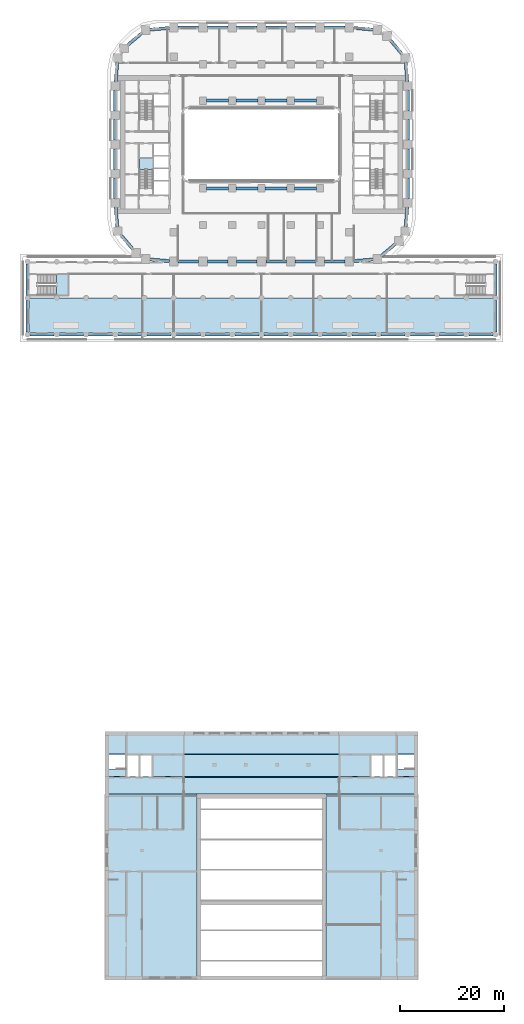
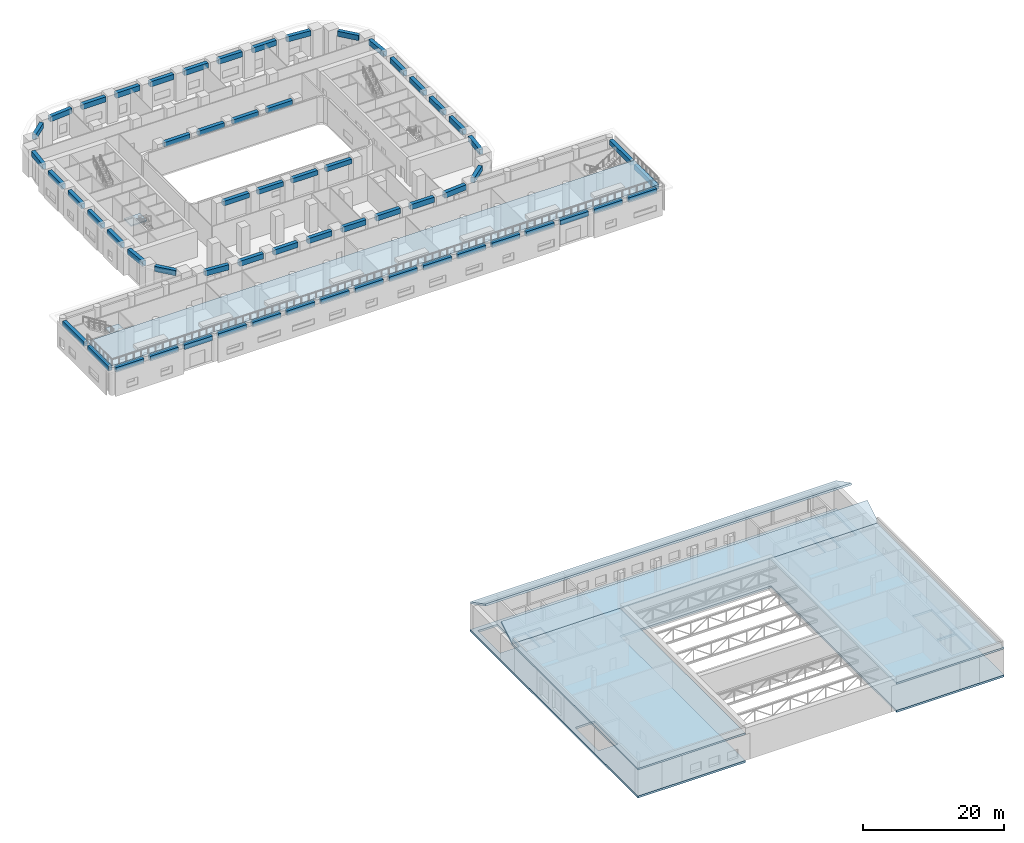
# One storey, part 8 of 35: 60 beams, 8 slabs, 2 elements without a shape of their own.
"""IFC4 building model written with IfcOpenShell, lengths in metres."""

from ifc_helpers import new_model, si_unit, direction, frame, origin, origin_2d, place, context, subcontext, project, spatial, polyline, rectangle, outline, extrude, material, layer, layer_set, material_profile, profile_set, type_object, element, aggregate, save


model = new_model("IFC4")

# Units and contexts
model_context = context("Model", 3, precision=1e-05, world=origin(), true_north=direction((0.0, 1.0)))
body_context = subcontext(model_context, "Body", "Model", "MODEL_VIEW")
ifc_project = project(units=[si_unit("LENGTHUNIT", "METRE"), si_unit("AREAUNIT", "SQUARE_METRE"), si_unit("VOLUMEUNIT", "CUBIC_METRE"), si_unit("PLANEANGLEUNIT", "RADIAN"), si_unit("MASSUNIT", "GRAM", prefix="KILO")], contexts=[model_context])

# Site, building, storey
site_placement = place(None, origin())
site = spatial("IfcSite", under=ifc_project, at=site_placement, CompositionType="ELEMENT")
building_placement = place(site_placement, origin())
building = spatial("IfcBuilding", under=site, at=building_placement, Name="Kiln Ring Residences", CompositionType="ELEMENT")
storey_placement = place(building_placement, frame((0.0, 0.0, 20.89990234375)))
storey = spatial("IfcBuildingStorey", under=building, at=storey_placement, Name="L04", CompositionType="ELEMENT", Elevation=20.89990234375)

# Beams
ifc_material_1 = material(Name="Concrete C50/60", Category="concrete")
ifc_material_profile_1 = material_profile(ifc_material_1, rectangle(XDim=0.60009765625, YDim=0.800048828125, at=origin_2d()), Name="RC600x800")
ifc_profile_set_1 = profile_set([ifc_material_profile_1], Name="Concrete C50/60")
beam_type_1 = type_object("IfcBeamType", Name="Ring beam RC600x800 C50/60", PredefinedType="BEAM", material=ifc_profile_set_1)
beam_1_placement = place(storey_placement, frame((-44.300048828125, -36.39990234375, 4.050048828125), z_axis=(1.0, 0.0, 0.0), x_axis=(0.0, 1.0, 0.0)))
element("IfcBeam", 1, at=beam_1_placement, inside=storey, type_object=beam_type_1, Name="Ring beam L04 1", PredefinedType="BEAM", context=body_context, shape_type="SweptSolid", body=[
    extrude(rectangle(XDim=0.60009765625, YDim=0.800048828125, at=origin_2d()), origin(), (0.0, 0.0, 1.0), 4.60009765625),
])
beam_2_placement = place(storey_placement, frame((-38.699951171875, -36.39990234375, 4.050048828125), z_axis=(1.0, 0.0, 0.0), x_axis=(0.0, 1.0, 0.0)))
element("IfcBeam", 2, at=beam_2_placement, inside=storey, type_object=beam_type_1, Name="Ring beam L04 2", PredefinedType="BEAM", context=body_context, shape_type="SweptSolid", body=[
    extrude(rectangle(XDim=0.60009765625, YDim=0.800048828125, at=origin_2d()), origin(), (0.0, 0.0, 1.0), 4.599853515625),
])
for number, where, z_axis, x_axis, name in (
    (3, (-33.10009765625, -36.39990234375, 4.050048828125), (1.0, 0.0, 0.0), (0.0, 1.0, 0.0), "Ring beam L04 3"),
    (4, (-27.5, -36.39990234375, 4.050048828125), (1.0, 0.0, 0.0), (0.0, 1.0, 0.0), "Ring beam L04 4"),
):
    element("IfcBeam", number, at=place(storey_placement, frame(where, z_axis=z_axis, x_axis=x_axis)), inside=storey, type_object=beam_type_1, Name=name, PredefinedType="BEAM", context=body_context, shape_type="SweptSolid", body=[
        extrude(rectangle(XDim=0.60009765625, YDim=0.800048828125, at=origin_2d()), origin(), (0.0, 0.0, 1.0), 4.60009765625),
    ])
beam_3_placement = place(storey_placement, frame((-21.89990234375, -36.39990234375, 4.050048828125), z_axis=(1.0, 0.0, 0.0), x_axis=(0.0, 1.0, 0.0)))
element("IfcBeam", 5, at=beam_3_placement, inside=storey, type_object=beam_type_1, Name="Ring beam L04 5", PredefinedType="BEAM", context=body_context, shape_type="SweptSolid", body=[
    extrude(rectangle(XDim=0.60009765625, YDim=0.800048828125, at=origin_2d()), origin(), (0.0, 0.0, 1.0), 4.599853515625),
])
beam_4_placement = place(storey_placement, frame((-16.300048828125, -36.39990234375, 4.050048828125), z_axis=(1.0, 0.0, 0.0), x_axis=(0.0, 1.0, 0.0)))
element("IfcBeam", 6, at=beam_4_placement, inside=storey, type_object=beam_type_1, Name="Ring beam L04 6", PredefinedType="BEAM", context=body_context, shape_type="SweptSolid", body=[
    extrude(rectangle(XDim=0.60009765625, YDim=0.800048828125, at=origin_2d()), origin(), (0.0, 0.0, 1.0), 4.60009765625),
])
beam_5_placement = place(storey_placement, frame((-10.699951171875, -36.39990234375, 4.050048828125), z_axis=(1.0, 0.0, 0.0), x_axis=(0.0, 1.0, 0.0)))
element("IfcBeam", 7, at=beam_5_placement, inside=storey, type_object=beam_type_1, Name="Ring beam L04 7", PredefinedType="BEAM", context=body_context, shape_type="SweptSolid", body=[
    extrude(rectangle(XDim=0.60009765625, YDim=0.800048828125, at=origin_2d()), origin(), (0.0, 0.0, 1.0), 4.599853515625),
])
for number, where, z_axis, x_axis, name in (
    (8, (-5.10009765625, -36.39990234375, 4.050048828125), (1.0, 0.0, 0.0), (0.0, 1.0, 0.0), "Ring beam L04 8"),
    (9, (0.5, -36.39990234375, 4.050048828125), (1.0, 0.0, 0.0), (0.0, 1.0, 0.0), "Ring beam L04 9"),
):
    element("IfcBeam", number, at=place(storey_placement, frame(where, z_axis=z_axis, x_axis=x_axis)), inside=storey, type_object=beam_type_1, Name=name, PredefinedType="BEAM", context=body_context, shape_type="SweptSolid", body=[
        extrude(rectangle(XDim=0.60009765625, YDim=0.800048828125, at=origin_2d()), origin(), (0.0, 0.0, 1.0), 4.60009765625),
    ])
beam_6_placement = place(storey_placement, frame((6.10009765625, -36.39990234375, 4.050048828125), z_axis=(1.0, 0.0, 0.0), x_axis=(0.0, 1.0, 0.0)))
element("IfcBeam", 10, at=beam_6_placement, inside=storey, type_object=beam_type_1, Name="Ring beam L04 10", PredefinedType="BEAM", context=body_context, shape_type="SweptSolid", body=[
    extrude(rectangle(XDim=0.60009765625, YDim=0.800048828125, at=origin_2d()), origin(), (0.0, 0.0, 1.0), 4.599853515625),
])
beam_7_placement = place(storey_placement, frame((11.699951171875, -36.39990234375, 4.050048828125), z_axis=(1.0, 0.0, 0.0), x_axis=(0.0, 1.0, 0.0)))
element("IfcBeam", 11, at=beam_7_placement, inside=storey, type_object=beam_type_1, Name="Ring beam L04 11", PredefinedType="BEAM", context=body_context, shape_type="SweptSolid", body=[
    extrude(rectangle(XDim=0.60009765625, YDim=0.800048828125, at=origin_2d()), origin(), (0.0, 0.0, 1.0), 4.60009765625),
])
beam_8_placement = place(storey_placement, frame((17.300048828125, -36.39990234375, 4.050048828125), z_axis=(1.0, 0.0, 0.0), x_axis=(0.0, 1.0, 0.0)))
element("IfcBeam", 12, at=beam_8_placement, inside=storey, type_object=beam_type_1, Name="Ring beam L04 12", PredefinedType="BEAM", context=body_context, shape_type="SweptSolid", body=[
    extrude(rectangle(XDim=0.60009765625, YDim=0.800048828125, at=origin_2d()), origin(), (0.0, 0.0, 1.0), 4.599853515625),
])
for number, where, z_axis, x_axis, name in (
    (13, (22.89990234375, -36.39990234375, 4.050048828125), (1.0, 0.0, 0.0), (0.0, 1.0, 0.0), "Ring beam L04 13"),
    (14, (28.5, -36.39990234375, 4.050048828125), (1.0, 0.0, 0.0), (0.0, 1.0, 0.0), "Ring beam L04 14"),
):
    element("IfcBeam", number, at=place(storey_placement, frame(where, z_axis=z_axis, x_axis=x_axis)), inside=storey, type_object=beam_type_1, Name=name, PredefinedType="BEAM", context=body_context, shape_type="SweptSolid", body=[
        extrude(rectangle(XDim=0.60009765625, YDim=0.800048828125, at=origin_2d()), origin(), (0.0, 0.0, 1.0), 4.60009765625),
    ])
beam_9_placement = place(storey_placement, frame((34.10009765625, -36.39990234375, 4.050048828125), z_axis=(1.0, 0.0, 0.0), x_axis=(0.0, 1.0, 0.0)))
element("IfcBeam", 15, at=beam_9_placement, inside=storey, type_object=beam_type_1, Name="Ring beam L04 15", PredefinedType="BEAM", context=body_context, shape_type="SweptSolid", body=[
    extrude(rectangle(XDim=0.60009765625, YDim=0.800048828125, at=origin_2d()), origin(), (0.0, 0.0, 1.0), 4.599853515625),
])
beam_10_placement = place(storey_placement, frame((39.699951171875, -36.39990234375, 4.050048828125), z_axis=(1.0, 0.0, 0.0), x_axis=(0.0, 1.0, 0.0)))
element("IfcBeam", 16, at=beam_10_placement, inside=storey, type_object=beam_type_1, Name="Ring beam L04 16", PredefinedType="BEAM", context=body_context, shape_type="SweptSolid", body=[
    extrude(rectangle(XDim=0.60009765625, YDim=0.800048828125, at=origin_2d()), origin(), (0.0, 0.0, 1.0), 4.60009765625),
])
for number, where, z_axis, x_axis, name in (
    (17, (-44.800048828125, -22.89990234375, 4.050048828125), (0.0, -1.0, 0.0), (1.0, 0.0, 0.0), "Ring beam L04 17"),
    (18, (-44.800048828125, -29.89990234375, 4.050048828125), (0.0, -1.0, 0.0), (1.0, 0.0, 0.0), "Ring beam L04 18"),
    (19, (44.800048828125, -22.89990234375, 4.050048828125), (0.0, -1.0, 0.0), (1.0, 0.0, 0.0), "Ring beam L04 19"),
    (20, (44.800048828125, -29.89990234375, 4.050048828125), (0.0, -1.0, 0.0), (1.0, 0.0, 0.0), "Ring beam L04 20"),
):
    element("IfcBeam", number, at=place(storey_placement, frame(where, z_axis=z_axis, x_axis=x_axis)), inside=storey, type_object=beam_type_1, Name=name, PredefinedType="BEAM", context=body_context, shape_type="SweptSolid", body=[
        extrude(rectangle(XDim=0.60009765625, YDim=0.800048828125, at=origin_2d()), origin(), (0.0, 0.0, 1.0), 6.0),
    ])
for number, where, z_axis, x_axis, name in (
    (21, (-10.5, -8.39990234375, 4.050048828125), (1.0, 0.0, 0.0), (0.0, 1.0, 0.0), "Ring beam L04 21"),
    (22, (-4.89990234375, -8.39990234375, 4.050048828125), (1.0, 0.0, 0.0), (0.0, 1.0, 0.0), "Ring beam L04 22"),
    (23, (0.699951171875, -8.39990234375, 4.050048828125), (1.0, 0.0, 0.0), (0.0, 1.0, 0.0), "Ring beam L04 23"),
    (24, (6.300048828125, -8.39990234375, 4.050048828125), (1.0, 0.0, 0.0), (0.0, 1.0, 0.0), "Ring beam L04 24"),
    (25, (-10.5, 8.39990234375, 4.050048828125), (1.0, 0.0, 0.0), (0.0, 1.0, 0.0), "Ring beam L04 25"),
    (26, (-4.89990234375, 8.39990234375, 4.050048828125), (1.0, 0.0, 0.0), (0.0, 1.0, 0.0), "Ring beam L04 26"),
    (27, (0.699951171875, 8.39990234375, 4.050048828125), (1.0, 0.0, 0.0), (0.0, 1.0, 0.0), "Ring beam L04 27"),
    (28, (6.300048828125, 8.39990234375, 4.050048828125), (1.0, 0.0, 0.0), (0.0, 1.0, 0.0), "Ring beam L04 28"),
):
    element("IfcBeam", number, at=place(storey_placement, frame(where, z_axis=z_axis, x_axis=x_axis)), inside=storey, type_object=beam_type_1, Name=name, PredefinedType="BEAM", context=body_context, shape_type="SweptSolid", body=[
        extrude(rectangle(XDim=0.60009765625, YDim=0.800048828125, at=origin_2d()), origin(), (0.0, 0.0, 1.0), 4.199951171875),
    ])
ifc_material_2 = material(Name="Concrete C50/60", Category="concrete")
ifc_material_profile_2 = material_profile(ifc_material_2, rectangle(XDim=0.60009765625, YDim=0.89990234375, at=origin_2d()), Name="RC600x900")
ifc_profile_set_2 = profile_set([ifc_material_profile_2], Name="Concrete C50/60")
beam_type_2 = type_object("IfcBeamType", Name="Spandrel beam RC600x900 C50/60", PredefinedType="SPANDREL", material=ifc_profile_set_2)
beam_11_placement = place(storey_placement, frame((-21.358642578125, -22.0107421875, 4.0), z_axis=(0.996374977292, -0.08506999839, 0.0), x_axis=(0.08506999839, 0.996374977292, 0.0)))
element("IfcBeam", 29, at=beam_11_placement, inside=storey, type_object=beam_type_2, Name="Spandrel beam L04 1", PredefinedType="SPANDREL", context=body_context, shape_type="SweptSolid", body=[
    extrude(rectangle(XDim=0.60009765625, YDim=0.89990234375, at=origin_2d()), origin(), (0.0, 0.0, 1.0), 3.72216796875),
])
beam_12_placement = place(storey_placement, frame((-15.949951171875, -22.39990234375, 4.0), z_axis=(1.0, 0.0, 0.0), x_axis=(0.0, 1.0, 0.0)))
element("IfcBeam", 30, at=beam_12_placement, inside=storey, type_object=beam_type_2, Name="Spandrel beam L04 2", PredefinedType="SPANDREL", context=body_context, shape_type="SweptSolid", body=[
    extrude(rectangle(XDim=0.60009765625, YDim=0.89990234375, at=origin_2d()), origin(), (0.0, 0.0, 1.0), 3.89990234375),
])
beam_13_placement = place(storey_placement, frame((-10.35009765625, -22.39990234375, 4.0), z_axis=(1.0, 0.0, 0.0), x_axis=(0.0, 1.0, 0.0)))
element("IfcBeam", 31, at=beam_13_placement, inside=storey, type_object=beam_type_2, Name="Spandrel beam L04 3", PredefinedType="SPANDREL", context=body_context, shape_type="SweptSolid", body=[
    extrude(rectangle(XDim=0.60009765625, YDim=0.89990234375, at=origin_2d()), origin(), (0.0, 0.0, 1.0), 3.900146484375),
])
for number, where, z_axis, x_axis, name in (
    (32, (-4.75, -22.39990234375, 4.0), (1.0, 0.0, 0.0), (0.0, 1.0, 0.0), "Spandrel beam L04 4"),
    (33, (0.85009765625, -22.39990234375, 4.0), (1.0, 0.0, 0.0), (0.0, 1.0, 0.0), "Spandrel beam L04 5"),
):
    element("IfcBeam", number, at=place(storey_placement, frame(where, z_axis=z_axis, x_axis=x_axis)), inside=storey, type_object=beam_type_2, Name=name, PredefinedType="SPANDREL", context=body_context, shape_type="SweptSolid", body=[
        extrude(rectangle(XDim=0.60009765625, YDim=0.89990234375, at=origin_2d()), origin(), (0.0, 0.0, 1.0), 3.89990234375),
    ])
beam_14_placement = place(storey_placement, frame((6.449951171875, -22.39990234375, 4.0), z_axis=(1.0, 0.0, 0.0), x_axis=(0.0, 1.0, 0.0)))
element("IfcBeam", 34, at=beam_14_placement, inside=storey, type_object=beam_type_2, Name="Spandrel beam L04 6", PredefinedType="SPANDREL", context=body_context, shape_type="SweptSolid", body=[
    extrude(rectangle(XDim=0.60009765625, YDim=0.89990234375, at=origin_2d()), origin(), (0.0, 0.0, 1.0), 3.900146484375),
])
beam_15_placement = place(storey_placement, frame((12.050048828125, -22.39990234375, 4.0), z_axis=(1.0, 0.0, 0.0), x_axis=(0.0, 1.0, 0.0)))
element("IfcBeam", 35, at=beam_15_placement, inside=storey, type_object=beam_type_2, Name="Spandrel beam L04 7", PredefinedType="SPANDREL", context=body_context, shape_type="SweptSolid", body=[
    extrude(rectangle(XDim=0.60009765625, YDim=0.89990234375, at=origin_2d()), origin(), (0.0, 0.0, 1.0), 3.89990234375),
])
beam_16_placement = place(storey_placement, frame((17.64990234375, -22.327392578125, 4.0), z_axis=(0.996374977292, 0.08506999839, 0.0), x_axis=(-0.08506999839, 0.996374977292, 0.0)))
element("IfcBeam", 36, at=beam_16_placement, inside=storey, type_object=beam_type_2, Name="Spandrel beam L04 8", PredefinedType="SPANDREL", context=body_context, shape_type="SweptSolid", body=[
    extrude(rectangle(XDim=0.60009765625, YDim=0.89990234375, at=origin_2d()), origin(), (0.0, 0.0, 1.0), 3.72216796875),
])
beam_17_placement = place(storey_placement, frame((23.05859375, -21.221923828125, 4.0), z_axis=(0.764713647219, 0.644370264489, 0.0), x_axis=(-0.644370264489, 0.764713647219, 0.0)))
element("IfcBeam", 37, at=beam_17_placement, inside=storey, type_object=beam_type_2, Name="Spandrel beam L04 9", PredefinedType="SPANDREL", context=body_context, shape_type="SweptSolid", body=[
    extrude(rectangle(XDim=0.60009765625, YDim=0.89990234375, at=origin_2d()), origin(), (0.0, 0.0, 1.0), 3.205322265625),
])
beam_18_placement = place(storey_placement, frame((27.610595703125, -15.7587890625, 4.0), z_axis=(0.085135112999, 0.996369415696, 0.0), x_axis=(-0.996369415696, 0.085135112999, 0.0)))
element("IfcBeam", 38, at=beam_18_placement, inside=storey, type_object=beam_type_2, Name="Spandrel beam L04 10", PredefinedType="SPANDREL", context=body_context, shape_type="SweptSolid", body=[
    extrude(rectangle(XDim=0.60009765625, YDim=0.89990234375, at=origin_2d()), origin(), (0.0, 0.0, 1.0), 3.72216796875),
])
beam_19_placement = place(storey_placement, frame((28.0, -10.35009765625, 4.0), z_axis=(0.0, 1.0, 0.0), x_axis=(-1.0, 0.0, 0.0)))
element("IfcBeam", 39, at=beam_19_placement, inside=storey, type_object=beam_type_2, Name="Spandrel beam L04 11", PredefinedType="SPANDREL", context=body_context, shape_type="SweptSolid", body=[
    extrude(rectangle(XDim=0.60009765625, YDim=0.89990234375, at=origin_2d()), origin(), (0.0, 0.0, 1.0), 3.900146484375),
])
for number, where, z_axis, x_axis, name in (
    (40, (28.0, -4.75, 4.0), (0.0, 1.0, 0.0), (-1.0, 0.0, 0.0), "Spandrel beam L04 12"),
    (41, (28.0, 0.85009765625, 4.0), (0.0, 1.0, 0.0), (-1.0, 0.0, 0.0), "Spandrel beam L04 13"),
):
    element("IfcBeam", number, at=place(storey_placement, frame(where, z_axis=z_axis, x_axis=x_axis)), inside=storey, type_object=beam_type_2, Name=name, PredefinedType="SPANDREL", context=body_context, shape_type="SweptSolid", body=[
        extrude(rectangle(XDim=0.60009765625, YDim=0.89990234375, at=origin_2d()), origin(), (0.0, 0.0, 1.0), 3.89990234375),
    ])
beam_20_placement = place(storey_placement, frame((28.0, 6.449951171875, 4.0), z_axis=(0.0, 1.0, 0.0), x_axis=(-1.0, 0.0, 0.0)))
element("IfcBeam", 42, at=beam_20_placement, inside=storey, type_object=beam_type_2, Name="Spandrel beam L04 14", PredefinedType="SPANDREL", context=body_context, shape_type="SweptSolid", body=[
    extrude(rectangle(XDim=0.60009765625, YDim=0.89990234375, at=origin_2d()), origin(), (0.0, 0.0, 1.0), 3.900146484375),
])
beam_21_placement = place(storey_placement, frame((27.927490234375, 12.050048828125, 4.0), z_axis=(-0.085135112999, 0.996369415696, 0.0), x_axis=(-0.996369415696, -0.085135112999, 0.0)))
element("IfcBeam", 43, at=beam_21_placement, inside=storey, type_object=beam_type_2, Name="Spandrel beam L04 15", PredefinedType="SPANDREL", context=body_context, shape_type="SweptSolid", body=[
    extrude(rectangle(XDim=0.60009765625, YDim=0.89990234375, at=origin_2d()), origin(), (0.0, 0.0, 1.0), 3.72216796875),
])
beam_22_placement = place(storey_placement, frame((26.82177734375, 17.458740234375, 4.0), z_axis=(-0.644370264489, 0.764713647219, 0.0), x_axis=(-0.764713647219, -0.644370264489, 0.0)))
element("IfcBeam", 44, at=beam_22_placement, inside=storey, type_object=beam_type_2, Name="Spandrel beam L04 16", PredefinedType="SPANDREL", context=body_context, shape_type="SweptSolid", body=[
    extrude(rectangle(XDim=0.60009765625, YDim=0.89990234375, at=origin_2d()), origin(), (0.0, 0.0, 1.0), 3.205322265625),
])
beam_23_placement = place(storey_placement, frame((21.358642578125, 22.0107421875, 4.0), z_axis=(-0.996374977292, 0.08506999839, 0.0), x_axis=(-0.08506999839, -0.996374977292, 0.0)))
element("IfcBeam", 45, at=beam_23_placement, inside=storey, type_object=beam_type_2, Name="Spandrel beam L04 17", PredefinedType="SPANDREL", context=body_context, shape_type="SweptSolid", body=[
    extrude(rectangle(XDim=0.60009765625, YDim=0.89990234375, at=origin_2d()), origin(), (0.0, 0.0, 1.0), 3.72216796875),
])
beam_24_placement = place(storey_placement, frame((15.949951171875, 22.39990234375, 4.0), z_axis=(-1.0, 0.0, 0.0), x_axis=(0.0, -1.0, 0.0)))
element("IfcBeam", 46, at=beam_24_placement, inside=storey, type_object=beam_type_2, Name="Spandrel beam L04 18", PredefinedType="SPANDREL", context=body_context, shape_type="SweptSolid", body=[
    extrude(rectangle(XDim=0.60009765625, YDim=0.89990234375, at=origin_2d()), origin(), (0.0, 0.0, 1.0), 3.89990234375),
])
beam_25_placement = place(storey_placement, frame((10.35009765625, 22.39990234375, 4.0), z_axis=(-1.0, 0.0, 0.0), x_axis=(0.0, -1.0, 0.0)))
element("IfcBeam", 47, at=beam_25_placement, inside=storey, type_object=beam_type_2, Name="Spandrel beam L04 19", PredefinedType="SPANDREL", context=body_context, shape_type="SweptSolid", body=[
    extrude(rectangle(XDim=0.60009765625, YDim=0.89990234375, at=origin_2d()), origin(), (0.0, 0.0, 1.0), 3.900146484375),
])
for number, where, z_axis, x_axis, name in (
    (48, (4.75, 22.39990234375, 4.0), (-1.0, 0.0, 0.0), (0.0, -1.0, 0.0), "Spandrel beam L04 20"),
    (49, (-0.85009765625, 22.39990234375, 4.0), (-1.0, 0.0, 0.0), (0.0, -1.0, 0.0), "Spandrel beam L04 21"),
):
    element("IfcBeam", number, at=place(storey_placement, frame(where, z_axis=z_axis, x_axis=x_axis)), inside=storey, type_object=beam_type_2, Name=name, PredefinedType="SPANDREL", context=body_context, shape_type="SweptSolid", body=[
        extrude(rectangle(XDim=0.60009765625, YDim=0.89990234375, at=origin_2d()), origin(), (0.0, 0.0, 1.0), 3.89990234375),
    ])
beam_26_placement = place(storey_placement, frame((-6.449951171875, 22.39990234375, 4.0), z_axis=(-1.0, 0.0, 0.0), x_axis=(0.0, -1.0, 0.0)))
element("IfcBeam", 50, at=beam_26_placement, inside=storey, type_object=beam_type_2, Name="Spandrel beam L04 22", PredefinedType="SPANDREL", context=body_context, shape_type="SweptSolid", body=[
    extrude(rectangle(XDim=0.60009765625, YDim=0.89990234375, at=origin_2d()), origin(), (0.0, 0.0, 1.0), 3.900146484375),
])
beam_27_placement = place(storey_placement, frame((-12.050048828125, 22.39990234375, 4.0), z_axis=(-1.0, 0.0, 0.0), x_axis=(0.0, -1.0, 0.0)))
element("IfcBeam", 51, at=beam_27_placement, inside=storey, type_object=beam_type_2, Name="Spandrel beam L04 23", PredefinedType="SPANDREL", context=body_context, shape_type="SweptSolid", body=[
    extrude(rectangle(XDim=0.60009765625, YDim=0.89990234375, at=origin_2d()), origin(), (0.0, 0.0, 1.0), 3.89990234375),
])
beam_28_placement = place(storey_placement, frame((-17.64990234375, 22.327392578125, 4.0), z_axis=(-0.996374977292, -0.08506999839, 0.0), x_axis=(0.08506999839, -0.996374977292, 0.0)))
element("IfcBeam", 52, at=beam_28_placement, inside=storey, type_object=beam_type_2, Name="Spandrel beam L04 24", PredefinedType="SPANDREL", context=body_context, shape_type="SweptSolid", body=[
    extrude(rectangle(XDim=0.60009765625, YDim=0.89990234375, at=origin_2d()), origin(), (0.0, 0.0, 1.0), 3.72216796875),
])
beam_29_placement = place(storey_placement, frame((-23.05859375, 21.221923828125, 4.0), z_axis=(-0.764713647219, -0.644370264489, 0.0), x_axis=(0.644370264489, -0.764713647219, 0.0)))
element("IfcBeam", 53, at=beam_29_placement, inside=storey, type_object=beam_type_2, Name="Spandrel beam L04 25", PredefinedType="SPANDREL", context=body_context, shape_type="SweptSolid", body=[
    extrude(rectangle(XDim=0.60009765625, YDim=0.89990234375, at=origin_2d()), origin(), (0.0, 0.0, 1.0), 3.205322265625),
])
beam_30_placement = place(storey_placement, frame((-27.610595703125, 15.7587890625, 4.0), z_axis=(-0.085135112999, -0.996369415696, 0.0), x_axis=(0.996369415696, -0.085135112999, 0.0)))
element("IfcBeam", 54, at=beam_30_placement, inside=storey, type_object=beam_type_2, Name="Spandrel beam L04 26", PredefinedType="SPANDREL", context=body_context, shape_type="SweptSolid", body=[
    extrude(rectangle(XDim=0.60009765625, YDim=0.89990234375, at=origin_2d()), origin(), (0.0, 0.0, 1.0), 3.72216796875),
])
beam_31_placement = place(storey_placement, frame((-28.0, 10.35009765625, 4.0), z_axis=(0.0, -1.0, 0.0), x_axis=(1.0, 0.0, 0.0)))
element("IfcBeam", 55, at=beam_31_placement, inside=storey, type_object=beam_type_2, Name="Spandrel beam L04 27", PredefinedType="SPANDREL", context=body_context, shape_type="SweptSolid", body=[
    extrude(rectangle(XDim=0.60009765625, YDim=0.89990234375, at=origin_2d()), origin(), (0.0, 0.0, 1.0), 3.900146484375),
])
for number, where, z_axis, x_axis, name in (
    (56, (-28.0, 4.75, 4.0), (0.0, -1.0, 0.0), (1.0, 0.0, 0.0), "Spandrel beam L04 28"),
    (57, (-28.0, -0.85009765625, 4.0), (0.0, -1.0, 0.0), (1.0, 0.0, 0.0), "Spandrel beam L04 29"),
):
    element("IfcBeam", number, at=place(storey_placement, frame(where, z_axis=z_axis, x_axis=x_axis)), inside=storey, type_object=beam_type_2, Name=name, PredefinedType="SPANDREL", context=body_context, shape_type="SweptSolid", body=[
        extrude(rectangle(XDim=0.60009765625, YDim=0.89990234375, at=origin_2d()), origin(), (0.0, 0.0, 1.0), 3.89990234375),
    ])
beam_32_placement = place(storey_placement, frame((-28.0, -6.449951171875, 4.0), z_axis=(0.0, -1.0, 0.0), x_axis=(1.0, 0.0, 0.0)))
element("IfcBeam", 58, at=beam_32_placement, inside=storey, type_object=beam_type_2, Name="Spandrel beam L04 30", PredefinedType="SPANDREL", context=body_context, shape_type="SweptSolid", body=[
    extrude(rectangle(XDim=0.60009765625, YDim=0.89990234375, at=origin_2d()), origin(), (0.0, 0.0, 1.0), 3.900146484375),
])
beam_33_placement = place(storey_placement, frame((-27.927490234375, -12.050048828125, 4.0), z_axis=(0.085135112999, -0.996369415696, 0.0), x_axis=(0.996369415696, 0.085135112999, 0.0)))
element("IfcBeam", 59, at=beam_33_placement, inside=storey, type_object=beam_type_2, Name="Spandrel beam L04 31", PredefinedType="SPANDREL", context=body_context, shape_type="SweptSolid", body=[
    extrude(rectangle(XDim=0.60009765625, YDim=0.89990234375, at=origin_2d()), origin(), (0.0, 0.0, 1.0), 3.72216796875),
])
beam_34_placement = place(storey_placement, frame((-26.82177734375, -17.458740234375, 4.0), z_axis=(0.644370264489, -0.764713647219, 0.0), x_axis=(0.764713647219, 0.644370264489, 0.0)))
element("IfcBeam", 60, at=beam_34_placement, inside=storey, type_object=beam_type_2, Name="Spandrel beam L04 32", PredefinedType="SPANDREL", context=body_context, shape_type="SweptSolid", body=[
    extrude(rectangle(XDim=0.60009765625, YDim=0.89990234375, at=origin_2d()), origin(), (0.0, 0.0, 1.0), 3.205322265625),
])

# Stair, slab
ifc_material_3 = material(Name="Concrete C40/50", Category="concrete")
stair_type_1 = type_object("IfcStairType", Name="CORE-STAIR", PredefinedType="HALF_TURN_STAIR", material=ifc_material_3)
placement_1 = place(storey_placement, origin())
stair_1 = element("IfcStair", 61, at=placement_1, inside=storey, type_object=stair_type_1, Name="L04 stair W-STS", PredefinedType="HALF_TURN_STAIR")
ifc_material_4 = material(Name="Concrete C40/50", Category="concrete")
ifc_layer_1 = layer(ifc_material_4, 0.199951171875)
ifc_layer_set_1 = layer_set([ifc_layer_1], Name="CORE-STAIR-LANDING")
slab_type_1 = type_object("IfcSlabType", Name="CORE-STAIR-LANDING", PredefinedType="LANDING", material=ifc_layer_set_1)
placement_2 = place(storey_placement, frame((0.0, 0.0, 2.2001953125)))
slab_1 = element("IfcSlab", 62, at=placement_2, type_object=slab_type_1, Name="W-STS landing 1", PredefinedType="LANDING", context=body_context, shape_type="SweptSolid", body=[
    extrude(outline(polyline([(-20.800048828125, -4.760009765625), (-20.800048828125, -2.699951171875), (-23.39990234375, -2.699951171875), (-23.39990234375, -4.760009765625), (-20.800048828125, -4.760009765625)])), origin(), (0.0, 0.0, 1.0), 0.199951171875),
])
aggregate(stair_1, [slab_1])

# Slabs
ifc_material_5 = material(Name="Concrete C40/50", Category="concrete")
ifc_layer_2 = layer(ifc_material_5, 0.300048828125)
ifc_layer_set_2 = layer_set([ifc_layer_2], Name="Hall barrel vault roof shell 300")
slab_type_2 = type_object("IfcSlabType", Name="Hall barrel vault roof shell 300", PredefinedType="ROOF", material=ifc_layer_set_2)
slab_2_placement = place(storey_placement, frame((-30.0, -124.39990234375, 4.800048828125), z_axis=(0.0, -0.517889412008, 0.855447576962), x_axis=(1.0, 0.0, 0.0)))
element("IfcSlab", 63, at=slab_2_placement, inside=storey, type_object=slab_type_2, Name="Hall barrel vault 1", PredefinedType="ROOF", context=body_context, shape_type="SweptSolid", body=[
    extrude(outline(polyline([(0.0, 0.0), (60.0, 0.0), (60.0, 3.7406747742976743), (0.0, 3.7406747742976743), (0.0, 0.0)])), origin(), (0.0, 0.0, -1.0), 0.300048828125),
])
slab_3_placement = place(storey_placement, frame((-30.0, -116.685302734375, 6.992919921875), z_axis=(0.0, 0.455531888924, 0.890219466297), x_axis=(1.0, 0.0, 0.0)))
element("IfcSlab", 64, at=slab_3_placement, inside=storey, type_object=slab_type_2, Name="Hall barrel vault 4", PredefinedType="ROOF", context=body_context, shape_type="SweptSolid", body=[
    extrude(outline(polyline([(0.0, 0.0), (60.0, 0.0), (60.0, 4.8138695601120345), (0.0, 4.8138695601120345), (0.0, 0.0)])), origin(), (0.0, 0.0, -1.0), 0.300048828125),
])
ifc_material_6 = material(Name="Concrete C40/50", Category="concrete")
ifc_layer_3 = layer(ifc_material_6, 0.35009765625)
ifc_layer_set_3 = layer_set([ifc_layer_3], Name="Hall reinforced concrete C40/50 floor slab 350")
slab_type_3 = type_object("IfcSlabType", Name="Hall reinforced concrete C40/50 floor slab 350", PredefinedType="FLOOR", material=ifc_layer_set_3)
slab_4_placement = place(storey_placement, frame((0.0, 0.0, -0.349853515625)))
element("IfcSlab", 65, at=slab_4_placement, inside=storey, type_object=slab_type_3, Name="Hall floor slab L04", PredefinedType="FLOOR", context=body_context, shape_type="SweptSolid", body=[
    extrude(outline(polyline([(-30.0, -112.39990234375), (30.0, -112.39990234375), (30.0, -160.0), (12.39990234375, -160.0), (12.39990234375, -124.39990234375), (-12.39990234375, -124.39990234375), (-12.39990234375, -160.0), (-30.0, -160.0), (-30.0, -112.39990234375)]), holes=[polyline([(-23.550048828125, -116.949951171875), (-25.75, -116.949951171875), (-25.75, -121.050048828125), (-23.550048828125, -121.050048828125), (-23.550048828125, -116.949951171875)]), polyline([(-23.25, -121.050048828125), (-21.050048828125, -121.050048828125), (-21.050048828125, -116.949951171875), (-23.25, -116.949951171875), (-23.25, -121.050048828125)]), polyline([(23.25, -116.949951171875), (21.050048828125, -116.949951171875), (21.050048828125, -121.050048828125), (23.25, -121.050048828125), (23.25, -116.949951171875)]), polyline([(25.75, -121.050048828125), (25.75, -116.949951171875), (23.550048828125, -116.949951171875), (23.550048828125, -121.050048828125), (25.75, -121.050048828125)]), polyline([(29.199951171875, -147.75), (26.050048828125, -147.75), (26.050048828125, -152.050048828125), (29.199951171875, -152.050048828125), (29.199951171875, -147.75)]), polyline([(-26.050048828125, -119.548095703125), (-26.050048828125, -113.199951171875), (-29.199951171875, -113.199951171875), (-29.199951171875, -119.548095703125), (-26.050048828125, -119.548095703125)]), polyline([(26.050048828125, -119.548095703125), (29.199951171875, -119.548095703125), (29.199951171875, -113.199951171875), (26.050048828125, -113.199951171875), (26.050048828125, -119.548095703125)]), polyline([(-26.050048828125, -147.449951171875), (-26.050048828125, -140.85205078125), (-29.199951171875, -140.85205078125), (-29.199951171875, -147.449951171875), (-26.050048828125, -147.449951171875)]), polyline([(26.050048828125, -147.449951171875), (29.199951171875, -147.449951171875), (29.199951171875, -140.85205078125), (26.050048828125, -140.85205078125), (26.050048828125, -147.449951171875)])]), origin(), (0.0, 0.0, 1.0), 0.349853515625),
])
ifc_material_7 = material(Name="Concrete C40/50", Category="concrete")
ifc_layer_4 = layer(ifc_material_7, 0.300048828125)
ifc_layer_set_4 = layer_set([ifc_layer_4], Name="Hall reinforced concrete C40/50 roof slab 300")
slab_type_4 = type_object("IfcSlabType", Name="Hall reinforced concrete C40/50 roof slab 300", PredefinedType="ROOF", material=ifc_layer_set_4)
placement_3 = place(storey_placement, frame((0.0, 0.0, 4.5)))
element("IfcSlab", 66, at=placement_3, inside=storey, type_object=slab_type_4, Name="Hall wing roof slab", PredefinedType="ROOF", context=body_context, shape_type="SweptSolid", body=[
    extrude(outline(polyline([(-30.0, -160.0), (-12.39990234375, -160.0), (-12.39990234375, -124.39990234375), (-30.0, -124.39990234375), (-30.0, -160.0)])), origin(), (0.0, 0.0, 1.0), 0.300048828125),
])
element("IfcSlab", 67, at=placement_3, inside=storey, type_object=slab_type_4, Name="Hall wing roof slab", PredefinedType="ROOF", context=body_context, shape_type="SweptSolid", body=[
    extrude(outline(polyline([(12.39990234375, -160.0), (30.0, -160.0), (30.0, -124.39990234375), (12.39990234375, -124.39990234375), (12.39990234375, -160.0)])), origin(), (0.0, 0.0, 1.0), 0.300048828125),
])

# Stair, slab
ifc_material_8 = material(Name="Concrete C40/50", Category="concrete")
stair_type_2 = type_object("IfcStairType", Name="PODIUM-STAIR", PredefinedType="HALF_TURN_STAIR", material=ifc_material_8)
stair_2 = element("IfcStair", 68, at=placement_1, inside=storey, type_object=stair_type_2, Name="L04 exit stair PS-W", PredefinedType="HALF_TURN_STAIR")
ifc_material_9 = material(Name="Concrete C40/50", Category="concrete")
ifc_layer_5 = layer(ifc_material_9, 0.199951171875)
ifc_layer_set_5 = layer_set([ifc_layer_5], Name="PODIUM-STAIR-LANDING")
slab_type_5 = type_object("IfcSlabType", Name="PODIUM-STAIR-LANDING", PredefinedType="LANDING", material=ifc_layer_set_5)
slab_7 = element("IfcSlab", 69, at=placement_2, type_object=slab_type_5, Name="PS-W landing 1", PredefinedType="LANDING", context=body_context, shape_type="SweptSolid", body=[
    extrude(outline(polyline([(-39.260009765625, -28.800048828125), (-37.10009765625, -28.800048828125), (-37.10009765625, -24.89990234375), (-39.260009765625, -24.89990234375), (-39.260009765625, -28.800048828125)])), origin(), (0.0, 0.0, 1.0), 0.199951171875),
])
aggregate(stair_2, [slab_7])

# Slab
ifc_material_10 = material(Name="Concrete C40/50", Category="concrete")
ifc_layer_6 = layer(ifc_material_10, 0.35009765625)
ifc_layer_set_6 = layer_set([ifc_layer_6], Name="Roof slab 350")
slab_type_6 = type_object("IfcSlabType", Name="Roof slab 350", PredefinedType="ROOF", material=ifc_layer_set_6)
slab_8_placement = place(storey_placement, frame((0.0, 0.0, 4.4501953125)))
element("IfcSlab", 70, at=slab_8_placement, inside=storey, type_object=slab_type_6, Name="Roof slab L04 1", PredefinedType="ROOF", context=body_context, shape_type="SweptSolid", body=[
    extrude(outline(polyline([(44.800048828125, -29.400390625), (-44.800048828125, -29.400390625), (-44.800048828125, -36.39990234375), (44.800048828125, -36.39990234375), (44.800048828125, -29.400390625)])), origin(), (0.0, 0.0, 1.0), 0.349853515625),
])

save(model, "model.ifc")
